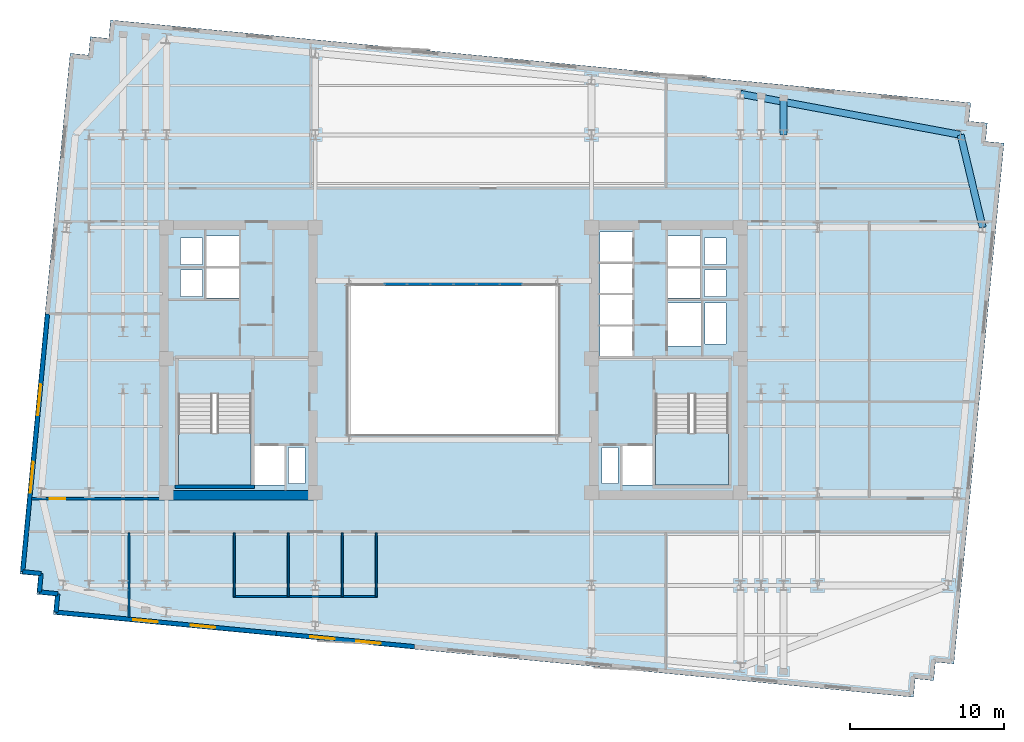
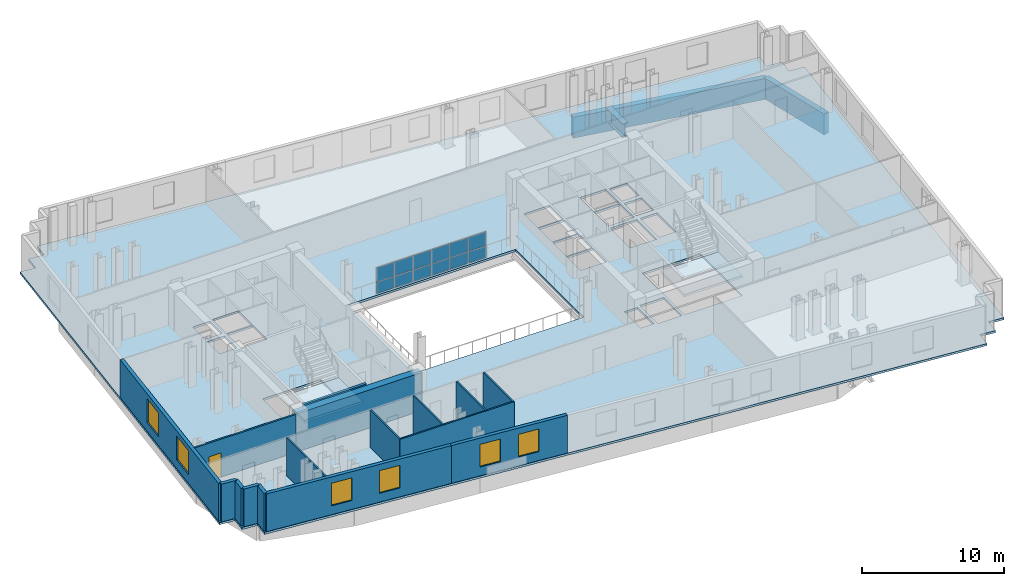
# One storey, part 4 of 11: 16 walls, 12 plates, 6 windows, 3 beams, 3 slabs, 1 door, 7 openings, 3 elements without a shape of their own.
"""IFC4 building model written with IfcOpenShell, lengths in metres."""

from ifc_helpers import new_model, si_unit, direction, frame, frame_2d, origin, origin_2d, place, context, subcontext, project, spatial, polyline, rectangle, i_section, outline, extrude, material, layer, layer_set, material_profile, profile_set, type_object, element, fill, aggregate, save


model = new_model("IFC4")

# Units and contexts
model_context = context("Model", 3, precision=1e-05, world=origin(), true_north=direction((0.0, 1.0)))
body_context = subcontext(model_context, "Body", "Model", "MODEL_VIEW")
ifc_project = project(units=[si_unit("LENGTHUNIT", "METRE"), si_unit("AREAUNIT", "SQUARE_METRE"), si_unit("VOLUMEUNIT", "CUBIC_METRE"), si_unit("PLANEANGLEUNIT", "RADIAN"), si_unit("MASSUNIT", "GRAM", prefix="KILO")], contexts=[model_context])

# Site, building, storey
site_placement = place(None, origin())
site = spatial("IfcSite", under=ifc_project, at=site_placement, CompositionType="ELEMENT")
building_placement = place(site_placement, origin())
building = spatial("IfcBuilding", under=site, at=building_placement, Name="Velakula Bourse", CompositionType="ELEMENT")
storey_placement = place(building_placement, frame((0.0, 0.0, 160.39990234375)))
storey = spatial("IfcBuildingStorey", under=building, at=storey_placement, Name="L43", CompositionType="ELEMENT", Elevation=160.39990234375)

# Beams
ifc_material_1 = material(Name="Concrete M50 (fck 50 MPa)", Category="concrete")
ifc_material_profile_1 = material_profile(ifc_material_1, rectangle(XDim=0.449951171875, YDim=1.800048828125, at=origin_2d()), Name="Concrete M50 (fck 50 MPa)")
ifc_profile_set_1 = profile_set([ifc_material_profile_1], Name="Concrete M50 (fck 50 MPa)")
beam_type_1 = type_object("IfcBeamType", Name="SPN-TRF-1800", PredefinedType="SPANDREL", material=ifc_profile_set_1)
beam_1_placement = place(storey_placement, frame((34.30517578125, 8.60009765625, -1.079833984375), z_axis=(-0.232091371601, 0.972693988482, 0.0), x_axis=(-0.972693988482, -0.232091371601, 0.0)))
element("IfcBeam", 1, at=beam_1_placement, inside=storey, type_object=beam_type_1, Name="L43 Brick-Faced Precast Spandrel E3-E4", PredefinedType="SPANDREL", context=body_context, shape_type="SweptSolid", body=[
    extrude(rectangle(XDim=0.449951171875, YDim=1.800048828125, at=origin_2d()), origin(), (0.0, 0.0, 1.0), 6.16845703125),
])
beam_2_placement = place(storey_placement, frame((32.87353515625, 14.60009765625, -1.079833984375), z_axis=(-0.983069592122, 0.183232576378, 0.0), x_axis=(-0.183232576378, -0.983069592122, 0.0)))
element("IfcBeam", 2, at=beam_2_placement, inside=storey, type_object=beam_type_1, Name="L43 Brick-Faced Precast Spandrel E4-N4", PredefinedType="SPANDREL", context=body_context, shape_type="SweptSolid", body=[
    extrude(rectangle(XDim=0.449951171875, YDim=1.800048828125, at=origin_2d()), origin(), (0.0, 0.0, 1.0), 14.519287109375),
])
ifc_material_2 = material(Name="Steel IS 2062 Grade 450 (E450)", Category="steel")
ifc_material_profile_2 = material_profile(ifc_material_2, i_section(OverallWidth=0.449951171875, OverallDepth=1.199951171875, WebThickness=0.02587890625, FlangeThickness=0.0400390625, at=origin_2d()), Name="Steel IS 2062 Grade 450 (E450)")
ifc_profile_set_2 = profile_set([ifc_material_profile_2], Name="Steel IS 2062 Grade 450 (E450)")
beam_type_2 = type_object("IfcBeamType", Name="TB-CANT-1200", PredefinedType="BEAM", material=ifc_profile_set_2)
beam_3_placement = place(storey_placement, frame((21.39990234375, 14.60009765625, -0.77978515625), z_axis=(0.0, 1.0, 0.0), x_axis=(-1.0, 0.0, 0.0)))
element("IfcBeam", 3, at=beam_3_placement, inside=storey, type_object=beam_type_2, Name="L43 Perimeter Tie Girder P08", PredefinedType="BEAM", context=body_context, shape_type="SweptSolid", body=[
    extrude(i_section(OverallWidth=0.449951171875, OverallDepth=1.199951171875, WebThickness=0.02587890625, FlangeThickness=0.0400390625, at=origin_2d()), origin(), (0.0, 0.0, 1.0), 2.390869140625),
])

# Curtain wall, plates
ifc_material_3 = material(Name="Anodised bronze architectural aluminium", Category="aluminium")
ifc_layer_1 = layer(ifc_material_3, 0.14990234375, Name="Anodised bronze architectural aluminium", Category="aluminium")
ifc_layer_set_1 = layer_set([ifc_layer_1], Name="Anodised bronze architectural aluminium")
curtain_wall_type = type_object("IfcCurtainWallType", Name="CW-AT1", PredefinedType="NOTDEFINED", material=ifc_layer_set_1)
curtain_wall_placement = place(storey_placement, origin())
curtain_wall = element("IfcCurtainWall", 4, at=curtain_wall_placement, inside=storey, type_object=curtain_wall_type, Name="L43 Central Trading Atrium Fire-Rated Glazed Screen", PredefinedType="NOTDEFINED")
ifc_material_4 = material(Name="Fire-resistant EI 120 laminated glazing", Category="glass")
ifc_layer_2 = layer(ifc_material_4, 0.02392578125, Name="Fire-resistant EI 120 laminated glazing", Category="glass")
ifc_layer_set_2 = layer_set([ifc_layer_2], Name="Fire-resistant EI 120 laminated glazing")
plate_type = type_object("IfcPlateType", Name="PNL-CW-AT1", PredefinedType="CURTAIN_PANEL", material=ifc_layer_set_2)
plate_1_placement = place(storey_placement, frame((-3.735107421875, 4.919921875, 0.06005859375), z_axis=(0.0, 0.0, 1.0), x_axis=(1.0, 0.0, 0.0)))
plate_1 = element("IfcPlate", 5, at=plate_1_placement, type_object=plate_type, Name="CW-AT1 panel 1.1", PredefinedType="CURTAIN_PANEL", context=body_context, shape_type="SweptSolid", body=[
    extrude(rectangle(XDim=1.409912109375, YDim=0.028076171875, at=origin_2d()), origin(), (0.0, 0.0, 1.0), 0.96533203125),
])
plate_2_placement = place(storey_placement, frame((-3.735107421875, 4.919921875, 1.08544921875), z_axis=(0.0, 0.0, 1.0), x_axis=(1.0, 0.0, 0.0)))
plate_2 = element("IfcPlate", 6, at=plate_2_placement, type_object=plate_type, Name="CW-AT1 panel 1.2", PredefinedType="CURTAIN_PANEL", context=body_context, shape_type="SweptSolid", body=[
    extrude(rectangle(XDim=1.409912109375, YDim=0.028076171875, at=origin_2d()), origin(), (0.0, 0.0, 1.0), 1.19970703125),
])
plate_3_placement = place(storey_placement, frame((-2.25, 4.919921875, 0.06005859375), z_axis=(0.0, 0.0, 1.0), x_axis=(1.0, 0.0, 0.0)))
plate_3 = element("IfcPlate", 7, at=plate_3_placement, type_object=plate_type, Name="CW-AT1 panel 2.1", PredefinedType="CURTAIN_PANEL", context=body_context, shape_type="SweptSolid", body=[
    extrude(rectangle(XDim=1.43994140625, YDim=0.028076171875, at=origin_2d()), origin(), (0.0, 0.0, 1.0), 0.96533203125),
])
plate_4_placement = place(storey_placement, frame((-2.25, 4.919921875, 1.08544921875), z_axis=(0.0, 0.0, 1.0), x_axis=(1.0, 0.0, 0.0)))
plate_4 = element("IfcPlate", 8, at=plate_4_placement, type_object=plate_type, Name="CW-AT1 panel 2.2", PredefinedType="CURTAIN_PANEL", context=body_context, shape_type="SweptSolid", body=[
    extrude(rectangle(XDim=1.43994140625, YDim=0.028076171875, at=origin_2d()), origin(), (0.0, 0.0, 1.0), 1.19970703125),
])
plate_5_placement = place(storey_placement, frame((-0.75, 4.919921875, 0.06005859375), z_axis=(0.0, 0.0, 1.0), x_axis=(1.0, 0.0, 0.0)))
plate_5 = element("IfcPlate", 9, at=plate_5_placement, type_object=plate_type, Name="CW-AT1 panel 3.1", PredefinedType="CURTAIN_PANEL", context=body_context, shape_type="SweptSolid", body=[
    extrude(rectangle(XDim=1.43994140625, YDim=0.028076171875, at=origin_2d()), origin(), (0.0, 0.0, 1.0), 0.96533203125),
])
plate_6_placement = place(storey_placement, frame((-0.75, 4.919921875, 1.08544921875), z_axis=(0.0, 0.0, 1.0), x_axis=(1.0, 0.0, 0.0)))
plate_6 = element("IfcPlate", 10, at=plate_6_placement, type_object=plate_type, Name="CW-AT1 panel 3.2", PredefinedType="CURTAIN_PANEL", context=body_context, shape_type="SweptSolid", body=[
    extrude(rectangle(XDim=1.43994140625, YDim=0.028076171875, at=origin_2d()), origin(), (0.0, 0.0, 1.0), 1.19970703125),
])
plate_7_placement = place(storey_placement, frame((0.75, 4.919921875, 0.06005859375), z_axis=(0.0, 0.0, 1.0), x_axis=(1.0, 0.0, 0.0)))
plate_7 = element("IfcPlate", 11, at=plate_7_placement, type_object=plate_type, Name="CW-AT1 panel 4.1", PredefinedType="CURTAIN_PANEL", context=body_context, shape_type="SweptSolid", body=[
    extrude(rectangle(XDim=1.43994140625, YDim=0.028076171875, at=origin_2d()), origin(), (0.0, 0.0, 1.0), 0.96533203125),
])
plate_8_placement = place(storey_placement, frame((0.75, 4.919921875, 1.08544921875), z_axis=(0.0, 0.0, 1.0), x_axis=(1.0, 0.0, 0.0)))
plate_8 = element("IfcPlate", 12, at=plate_8_placement, type_object=plate_type, Name="CW-AT1 panel 4.2", PredefinedType="CURTAIN_PANEL", context=body_context, shape_type="SweptSolid", body=[
    extrude(rectangle(XDim=1.43994140625, YDim=0.028076171875, at=origin_2d()), origin(), (0.0, 0.0, 1.0), 1.19970703125),
])
plate_9_placement = place(storey_placement, frame((2.25, 4.919921875, 0.06005859375), z_axis=(0.0, 0.0, 1.0), x_axis=(1.0, 0.0, 0.0)))
plate_9 = element("IfcPlate", 13, at=plate_9_placement, type_object=plate_type, Name="CW-AT1 panel 5.1", PredefinedType="CURTAIN_PANEL", context=body_context, shape_type="SweptSolid", body=[
    extrude(rectangle(XDim=1.43994140625, YDim=0.028076171875, at=origin_2d()), origin(), (0.0, 0.0, 1.0), 0.96533203125),
])
plate_10_placement = place(storey_placement, frame((2.25, 4.919921875, 1.08544921875), z_axis=(0.0, 0.0, 1.0), x_axis=(1.0, 0.0, 0.0)))
plate_10 = element("IfcPlate", 14, at=plate_10_placement, type_object=plate_type, Name="CW-AT1 panel 5.2", PredefinedType="CURTAIN_PANEL", context=body_context, shape_type="SweptSolid", body=[
    extrude(rectangle(XDim=1.43994140625, YDim=0.028076171875, at=origin_2d()), origin(), (0.0, 0.0, 1.0), 1.19970703125),
])
plate_11_placement = place(storey_placement, frame((3.735107421875, 4.919921875, 0.06005859375), z_axis=(0.0, 0.0, 1.0), x_axis=(1.0, 0.0, 0.0)))
plate_11 = element("IfcPlate", 15, at=plate_11_placement, type_object=plate_type, Name="CW-AT1 panel 6.1", PredefinedType="CURTAIN_PANEL", context=body_context, shape_type="SweptSolid", body=[
    extrude(rectangle(XDim=1.409912109375, YDim=0.028076171875, at=origin_2d()), origin(), (0.0, 0.0, 1.0), 0.96533203125),
])
plate_12_placement = place(storey_placement, frame((3.735107421875, 4.919921875, 1.08544921875), z_axis=(0.0, 0.0, 1.0), x_axis=(1.0, 0.0, 0.0)))
plate_12 = element("IfcPlate", 16, at=plate_12_placement, type_object=plate_type, Name="CW-AT1 panel 6.2", PredefinedType="CURTAIN_PANEL", context=body_context, shape_type="SweptSolid", body=[
    extrude(rectangle(XDim=1.409912109375, YDim=0.028076171875, at=origin_2d()), origin(), (0.0, 0.0, 1.0), 1.19970703125),
])
aggregate(curtain_wall, [plate_1, plate_2, plate_3, plate_4, plate_5, plate_6, plate_7, plate_8, plate_9, plate_10, plate_11, plate_12])

# Stair, slab
ifc_material_5 = material(Name="Concrete M45 (fck 45 MPa)", Category="concrete")
stair_type = type_object("IfcStairType", Name="STR-DOG-390", PredefinedType="HALF_TURN_STAIR", material=ifc_material_5)
stair_1_placement = place(storey_placement, origin())
stair_1 = element("IfcStair", 17, at=stair_1_placement, inside=storey, type_object=stair_type, Name="L43 West Core Exit Stair ST-W1", PredefinedType="HALF_TURN_STAIR")
ifc_layer_3 = layer(ifc_material_5, 0.199951171875, Name="Concrete M45 (fck 45 MPa)", Category="concrete")
ifc_layer_set_3 = layer_set([ifc_layer_3], Name="Concrete M45 (fck 45 MPa)")
slab_type_1 = type_object("IfcSlabType", Name="SLB-STAIR-LND-200", PredefinedType="LANDING", material=ifc_layer_set_3)
slab_1_placement = place(storey_placement, frame((0.0, 0.0, 1.525146484375)))
slab_1 = element("IfcSlab", 18, at=slab_1_placement, type_object=slab_type_1, Name="ST-W1 landing 1", PredefinedType="LANDING", context=body_context, shape_type="SweptSolid", body=[
    extrude(outline(polyline([(-17.820068359375, -4.719970703125), (-17.820068359375, -8.10009765625), (-13.10009765625, -8.10009765625), (-13.10009765625, -4.719970703125), (-17.820068359375, -4.719970703125)])), origin(), (0.0, 0.0, 1.0), 0.199951171875),
])
aggregate(stair_1, [slab_1])

stair_2_placement = place(storey_placement, origin())
stair_2 = element("IfcStair", 19, at=stair_2_placement, inside=storey, type_object=stair_type, Name="L43 East Core Exit Stair ST-E1", PredefinedType="HALF_TURN_STAIR")
slab_2_placement = place(storey_placement, frame((0.0, 0.0, 1.525146484375)))
slab_2 = element("IfcSlab", 20, at=slab_2_placement, type_object=slab_type_1, Name="ST-E1 landing 1", PredefinedType="LANDING", context=body_context, shape_type="SweptSolid", body=[
    extrude(outline(polyline([(13.10009765625, -4.719970703125), (13.10009765625, -8.10009765625), (17.820068359375, -8.10009765625), (17.820068359375, -4.719970703125), (13.10009765625, -4.719970703125)])), origin(), (0.0, 0.0, 1.0), 0.199951171875),
])
aggregate(stair_2, [slab_2])

# Slab
ifc_layer_4 = layer(ifc_material_1, 0.179931640625, Name="Concrete M50 (fck 50 MPa)", Category="concrete")
ifc_layer_set_4 = layer_set([ifc_layer_4], Name="Concrete M50 (fck 50 MPa)")
slab_type_2 = type_object("IfcSlabType", Name="SLB-TWR-180", PredefinedType="FLOOR", material=ifc_layer_set_4)
slab_3_placement = place(storey_placement, frame((0.0, 0.0, -0.179931640625)))
element("IfcSlab", 21, at=slab_3_placement, inside=storey, type_object=slab_type_2, Name="L43 Suspended Structural Floor Slab", PredefinedType="FLOOR", context=body_context, shape_type="SweptSolid", body=[
    extrude(outline(polyline([(-25.92578125, -16.477294921875), (29.81640625, -21.844482421875), (29.931396484375, -20.650146484375), (31.1259765625, -20.76513671875), (31.240966796875, -19.570556640625), (32.435546875, -19.685791015625), (35.6845703125, 14.058349609375), (34.490234375, 14.17333984375), (34.605224609375, 15.36767578125), (33.41064453125, 15.482666015625), (33.525634765625, 16.67724609375), (-22.216552734375, 22.044677734375), (-22.33154296875, 20.85009765625), (-23.52587890625, 20.965087890625), (-23.640869140625, 19.770751953125), (-24.83544921875, 19.8857421875), (-28.084716796875, -13.858154296875), (-26.89013671875, -13.973388671875), (-27.005126953125, -15.167724609375), (-25.810791015625, -15.28271484375), (-25.92578125, -16.477294921875)]), holes=[polyline([(-17.820068359375, -8.10009765625), (-13.10009765625, -8.10009765625), (-13.10009765625, -2.199951171875), (-17.820068359375, -2.199951171875), (-17.820068359375, -8.10009765625)]), polyline([(13.10009765625, -8.10009765625), (17.820068359375, -8.10009765625), (17.820068359375, -2.199951171875), (13.10009765625, -2.199951171875), (13.10009765625, -8.10009765625)]), polyline([(-12.89990234375, -8.10009765625), (-10.949951171875, -8.10009765625), (-10.949951171875, -5.550048828125), (-12.89990234375, -5.550048828125), (-12.89990234375, -8.10009765625)]), polyline([(10.949951171875, -8.10009765625), (12.89990234375, -8.10009765625), (12.89990234375, -5.550048828125), (10.949951171875, -5.550048828125), (10.949951171875, -8.10009765625)]), polyline([(13.89990234375, 0.919921875), (16.050048828125, 0.919921875), (16.050048828125, 3.719970703125), (13.89990234375, 3.719970703125), (13.89990234375, 0.919921875)]), polyline([(-10.679931640625, -7.97998046875), (-9.6201171875, -7.97998046875), (-9.6201171875, -5.669921875), (-10.679931640625, -5.669921875), (-10.679931640625, -7.97998046875)]), polyline([(-17.679931640625, 4.139892578125), (-16.27001953125, 4.139892578125), (-16.27001953125, 5.85009765625), (-17.679931640625, 5.85009765625), (-17.679931640625, 4.139892578125)]), polyline([(-17.679931640625, 6.2099609375), (-16.27001953125, 6.2099609375), (-16.27001953125, 7.919921875), (-17.679931640625, 7.919921875), (-17.679931640625, 6.2099609375)]), polyline([(9.6201171875, -7.97998046875), (10.679931640625, -7.97998046875), (10.679931640625, -5.669921875), (9.6201171875, -5.669921875), (9.6201171875, -7.97998046875)]), polyline([(16.27001953125, 4.139892578125), (17.679931640625, 4.139892578125), (17.679931640625, 5.85009765625), (16.27001953125, 5.85009765625), (16.27001953125, 4.139892578125)]), polyline([(16.27001953125, 6.2099609375), (17.679931640625, 6.2099609375), (17.679931640625, 7.919921875), (16.27001953125, 7.919921875), (16.27001953125, 6.2099609375)]), polyline([(16.320068359375, 1.0400390625), (17.679931640625, 1.0400390625), (17.679931640625, 3.699951171875), (16.320068359375, 3.699951171875), (16.320068359375, 1.0400390625)]), polyline([(9.5, 0.280029296875), (11.60009765625, 0.280029296875), (11.60009765625, 2.199951171875), (9.5, 2.199951171875), (9.5, 0.280029296875)]), polyline([(9.5, 2.31005859375), (11.60009765625, 2.31005859375), (11.60009765625, 4.22998046875), (9.5, 4.22998046875), (9.5, 2.31005859375)]), polyline([(9.5, 4.340087890625), (11.60009765625, 4.340087890625), (11.60009765625, 6.260009765625), (9.5, 6.260009765625), (9.5, 4.340087890625)]), polyline([(9.5, 6.3701171875), (11.60009765625, 6.3701171875), (11.60009765625, 8.2900390625), (9.5, 8.2900390625), (9.5, 6.3701171875)]), polyline([(-16.0, 4.02001953125), (-13.89990234375, 4.02001953125), (-13.89990234375, 5.969970703125), (-16.0, 5.969970703125), (-16.0, 4.02001953125)]), polyline([(-16.0, 6.090087890625), (-13.89990234375, 6.090087890625), (-13.89990234375, 8.0400390625), (-16.0, 8.0400390625), (-16.0, 6.090087890625)]), polyline([(13.89990234375, 4.02001953125), (16.0, 4.02001953125), (16.0, 5.969970703125), (13.89990234375, 5.969970703125), (13.89990234375, 4.02001953125)]), polyline([(13.89990234375, 6.090087890625), (16.0, 6.090087890625), (16.0, 8.0400390625), (13.89990234375, 8.0400390625), (13.89990234375, 6.090087890625)]), polyline([(-6.800048828125, -4.800048828125), (6.800048828125, -4.800048828125), (6.800048828125, 4.800048828125), (-6.800048828125, 4.800048828125), (-6.800048828125, -4.800048828125)])]), origin(), (0.0, 0.0, 1.0), 0.179931640625),
])

# Walls
ifc_layer_5 = layer(ifc_material_1, 0.2099609375, Name="Concrete M50 (fck 50 MPa)", Category="concrete")
ifc_layer_set_5 = layer_set([ifc_layer_5], Name="Concrete M50 (fck 50 MPa)")
wall_type_1 = type_object("IfcWallType", Name="WL-CORE-210", PredefinedType="SHEAR", material=ifc_layer_set_5)
wall_1_placement = place(storey_placement, frame((-18.030029296875, -8.205078125, 0.0), z_axis=(0.0, 0.0, 1.0), x_axis=(1.0, 0.0, 0.0)))
element("IfcWall", 22, at=wall_1_placement, inside=storey, type_object=wall_type_1, Name="L43 Core W Stairwell Shear Wall S", PredefinedType="SHEAR", context=body_context, shape_type="SweptSolid", body=[
    extrude(rectangle(XDim=5.14013671875, YDim=0.2099609375, at=frame_2d((2.570068359375, 0.0))), origin(), (0.0, 0.0, 1.0), 3.27001953125),
])
ifc_material_6 = material(Name="Concrete M70 (fck 70 MPa)", Category="concrete")
ifc_layer_6 = layer(ifc_material_6, 0.60009765625, Name="Concrete M70 (fck 70 MPa)", Category="concrete")
ifc_layer_set_6 = layer_set([ifc_layer_6], Name="Concrete M70 (fck 70 MPa)")
wall_type_2 = type_object("IfcWallType", Name="WL-CORE-600", PredefinedType="SHEAR", material=ifc_layer_set_6)
wall_2_placement = place(storey_placement, frame((-19.050048828125, -8.75, 0.0), z_axis=(0.0, 0.0, 1.0), x_axis=(1.0, 0.0, 0.0)))
element("IfcWall", 23, at=wall_2_placement, inside=storey, type_object=wall_type_2, Name="L43 Core W Shear Wall S", PredefinedType="SHEAR", context=body_context, shape_type="SweptSolid", body=[
    extrude(rectangle(XDim=10.25, YDim=0.60009765625, at=frame_2d((5.125, 0.0))), origin(), (0.0, 0.0, 1.0), 3.27001953125),
])

# Wall, openings, windows
ifc_material_7 = material(Name="Red kilned clay facing brick masonry", Category="masonry")
ifc_layer_7 = layer(ifc_material_7, 0.280029296875, Name="Red kilned clay facing brick masonry", Category="masonry")
ifc_layer_set_7 = layer_set([ifc_layer_7], Name="Red kilned clay facing brick masonry")
wall_type_3 = type_object("IfcWallType", Name="WL-EXT-BRK-280", PredefinedType="STANDARD", material=ifc_layer_set_7)
wall_3_placement = place(storey_placement, frame((-11.47705078125, -17.707763671875, 0.0), z_axis=(0.0, 0.0, 1.0), x_axis=(-0.995395762701, 0.095850276977, 0.0)))
wall_3 = element("IfcWall", 24, at=wall_3_placement, inside=storey, type_object=wall_type_3, Name="L43 S Brick Spandrel Wall B1", PredefinedType="STANDARD", context=body_context, shape_type="SweptSolid", body=[
    extrude(rectangle(XDim=14.340087890625, YDim=0.280029296875, at=frame_2d((7.169921875, 0.0))), origin(), (0.0, 0.0, 1.0), 3.25),
])
opening_1_placement = place(wall_3_placement, frame((3.97998046875, 0.0, 0.760009765625)))
opening_1 = element("IfcOpeningElement", 25, at=opening_1_placement, cuts=wall_3, Name="Opening W-02", PredefinedType="OPENING", context=body_context, shape_type="SweptSolid", body=[
    extrude(rectangle(XDim=1.60009765625, YDim=1.949951171875, at=frame_2d((0.800048828125, 0.97509765625))), frame((0.0, 0.14990234375, 0.0), z_axis=(0.0, -1.0, 0.0), x_axis=(1.0, 0.0, 0.0)), (0.0, 0.0, 1.0), 0.300048828125),
])
opening_2_placement = place(wall_3_placement, frame((7.7099609375, 0.0, 0.760009765625)))
opening_2 = element("IfcOpeningElement", 26, at=opening_2_placement, cuts=wall_3, Name="Opening W-02", PredefinedType="OPENING", context=body_context, shape_type="SweptSolid", body=[
    extrude(rectangle(XDim=1.60009765625, YDim=1.949951171875, at=frame_2d((0.800048828125, 0.97509765625))), frame((0.0, 0.14990234375, 0.0), z_axis=(0.0, -1.0, 0.0), x_axis=(1.0, 0.0, 0.0)), (0.0, 0.0, 1.0), 0.300048828125),
])
ifc_material_8 = material(Name="Double-glazed solar-control Low-E glass", Category="glass")
window_type_1 = type_object("IfcWindowType", Name="WIN-TWR-1600x2100", PartitioningType="SINGLE_PANEL", PredefinedType="WINDOW", material=ifc_material_8)
window_1_placement = place(opening_1_placement, origin())
window_1 = element("IfcWindow", 27, at=window_1_placement, inside=storey, type_object=window_type_1, Name="L43 Deep-Set Recessed Window 1", OverallHeight=1.949951171875, OverallWidth=1.60009765625, PartitioningType="SINGLE_PANEL", PredefinedType="WINDOW", context=body_context, shape_type="SweptSolid", body=[
    extrude(rectangle(XDim=1.60009765625, YDim=1.949951171875, at=frame_2d((0.800048828125, 0.97509765625))), frame((0.0, 0.030029296875, 0.0), z_axis=(0.0, -1.0, 0.0), x_axis=(1.0, 0.0, 0.0)), (0.0, 0.0, 1.0), 0.06005859375),
])
fill(opening_1, window_1)
window_2_placement = place(opening_2_placement, origin())
window_2 = element("IfcWindow", 28, at=window_2_placement, inside=storey, type_object=window_type_1, Name="L43 Deep-Set Recessed Window 2", OverallHeight=1.949951171875, OverallWidth=1.60009765625, PartitioningType="SINGLE_PANEL", PredefinedType="WINDOW", context=body_context, shape_type="SweptSolid", body=[
    extrude(rectangle(XDim=1.60009765625, YDim=1.949951171875, at=frame_2d((0.800048828125, 0.97509765625))), frame((0.0, 0.030029296875, 0.0), z_axis=(0.0, -1.0, 0.0), x_axis=(1.0, 0.0, 0.0)), (0.0, 0.0, 1.0), 0.06005859375),
])
fill(opening_2, window_2)

wall_4_placement = place(storey_placement, frame((-2.5185546875, -18.5703125, 0.0), z_axis=(0.0, 0.0, 1.0), x_axis=(-0.995396794462, 0.09583956164, 0.0)))
wall_4 = element("IfcWall", 29, at=wall_4_placement, inside=storey, type_object=wall_type_3, Name="L43 S Brick Spandrel Wall B2", PredefinedType="STANDARD", context=body_context, shape_type="SweptSolid", body=[
    extrude(rectangle(XDim=9.0, YDim=0.280029296875, at=frame_2d((4.5, 0.0))), origin(), (0.0, 0.0, 1.0), 3.25),
])
opening_3_placement = place(wall_4_placement, frame((2.199951171875, 0.0, 0.760009765625)))
opening_3 = element("IfcOpeningElement", 30, at=opening_3_placement, cuts=wall_4, Name="Opening W-02", PredefinedType="OPENING", context=body_context, shape_type="SweptSolid", body=[
    extrude(rectangle(XDim=1.60009765625, YDim=1.949951171875, at=frame_2d((0.800048828125, 0.97509765625))), frame((0.0, 0.14990234375, 0.0), z_axis=(0.0, -1.0, 0.0), x_axis=(1.0, 0.0, 0.0)), (0.0, 0.0, 1.0), 0.300048828125),
])
opening_4_placement = place(wall_4_placement, frame((5.199951171875, 0.0, 0.760009765625)))
opening_4 = element("IfcOpeningElement", 31, at=opening_4_placement, cuts=wall_4, Name="Opening W-02", PredefinedType="OPENING", context=body_context, shape_type="SweptSolid", body=[
    extrude(rectangle(XDim=1.60009765625, YDim=1.949951171875, at=frame_2d((0.800048828125, 0.97509765625))), frame((0.0, 0.14990234375, 0.0), z_axis=(0.0, -1.0, 0.0), x_axis=(1.0, 0.0, 0.0)), (0.0, 0.0, 1.0), 0.300048828125),
])
window_3_placement = place(opening_3_placement, origin())
window_3 = element("IfcWindow", 32, at=window_3_placement, inside=storey, type_object=window_type_1, Name="L43 Deep-Set Recessed Window 1", OverallHeight=1.949951171875, OverallWidth=1.60009765625, PartitioningType="SINGLE_PANEL", PredefinedType="WINDOW", context=body_context, shape_type="SweptSolid", body=[
    extrude(rectangle(XDim=1.60009765625, YDim=1.949951171875, at=frame_2d((0.800048828125, 0.97509765625))), frame((0.0, 0.030029296875, 0.0), z_axis=(0.0, -1.0, 0.0), x_axis=(1.0, 0.0, 0.0)), (0.0, 0.0, 1.0), 0.06005859375),
])
fill(opening_3, window_3)
window_4_placement = place(opening_4_placement, origin())
window_4 = element("IfcWindow", 33, at=window_4_placement, inside=storey, type_object=window_type_1, Name="L43 Deep-Set Recessed Window 2", OverallHeight=1.949951171875, OverallWidth=1.60009765625, PartitioningType="SINGLE_PANEL", PredefinedType="WINDOW", context=body_context, shape_type="SweptSolid", body=[
    extrude(rectangle(XDim=1.60009765625, YDim=1.949951171875, at=frame_2d((0.800048828125, 0.97509765625))), frame((0.0, 0.030029296875, 0.0), z_axis=(0.0, -1.0, 0.0), x_axis=(1.0, 0.0, 0.0)), (0.0, 0.0, 1.0), 0.06005859375),
])
fill(opening_4, window_4)

wall_5_placement = place(storey_placement, frame((-27.909912109375, -13.71435546875, 0.0), z_axis=(0.0, 0.0, 1.0), x_axis=(0.095839027265, 0.995396845913, 0.0)))
wall_5 = element("IfcWall", 34, at=wall_5_placement, inside=storey, type_object=wall_type_3, Name="L43 W Brick End Wall W1", PredefinedType="STANDARD", context=body_context, shape_type="SweptSolid", body=[
    extrude(rectangle(XDim=16.7900390625, YDim=0.280029296875, at=frame_2d((8.39501953125, 0.0))), origin(), (0.0, 0.0, 1.0), 3.25),
])
opening_5_placement = place(wall_5_placement, frame((5.146728515625, 0.0, 0.760009765625)))
opening_5 = element("IfcOpeningElement", 35, at=opening_5_placement, cuts=wall_5, Name="Opening W-05", PredefinedType="OPENING", context=body_context, shape_type="SweptSolid", body=[
    extrude(rectangle(XDim=2.0, YDim=2.050048828125, at=frame_2d((1.0, 1.02490234375))), frame((0.0, 0.14990234375, 0.0), z_axis=(0.0, -1.0, 0.0), x_axis=(1.0, 0.0, 0.0)), (0.0, 0.0, 1.0), 0.300048828125),
])
opening_6_placement = place(wall_5_placement, frame((10.193359375, 0.0, 0.760009765625)))
opening_6 = element("IfcOpeningElement", 36, at=opening_6_placement, cuts=wall_5, Name="Opening W-05", PredefinedType="OPENING", context=body_context, shape_type="SweptSolid", body=[
    extrude(rectangle(XDim=2.0, YDim=2.050048828125, at=frame_2d((1.0, 1.02490234375))), frame((0.0, 0.14990234375, 0.0), z_axis=(0.0, -1.0, 0.0), x_axis=(1.0, 0.0, 0.0)), (0.0, 0.0, 1.0), 0.300048828125),
])
window_type_2 = type_object("IfcWindowType", Name="WIN-TWR-2000x2200", PartitioningType="DOUBLE_PANEL_VERTICAL", PredefinedType="WINDOW", material=ifc_material_8)
window_5_placement = place(opening_5_placement, origin())
window_5 = element("IfcWindow", 37, at=window_5_placement, inside=storey, type_object=window_type_2, Name="L43 Deep-Set Recessed Window 1", OverallHeight=2.050048828125, OverallWidth=2.0, PartitioningType="DOUBLE_PANEL_VERTICAL", PredefinedType="WINDOW", context=body_context, shape_type="SweptSolid", body=[
    extrude(rectangle(XDim=2.0, YDim=2.050048828125, at=frame_2d((1.0, 1.02490234375))), frame((0.0, 0.030029296875, 0.0), z_axis=(0.0, -1.0, 0.0), x_axis=(1.0, 0.0, 0.0)), (0.0, 0.0, 1.0), 0.06005859375),
])
fill(opening_5, window_5)
window_6_placement = place(opening_6_placement, origin())
window_6 = element("IfcWindow", 38, at=window_6_placement, inside=storey, type_object=window_type_2, Name="L43 Deep-Set Recessed Window 2", OverallHeight=2.050048828125, OverallWidth=2.0, PartitioningType="DOUBLE_PANEL_VERTICAL", PredefinedType="WINDOW", context=body_context, shape_type="SweptSolid", body=[
    extrude(rectangle(XDim=2.0, YDim=2.050048828125, at=frame_2d((1.0, 1.02490234375))), frame((0.0, 0.030029296875, 0.0), z_axis=(0.0, -1.0, 0.0), x_axis=(1.0, 0.0, 0.0)), (0.0, 0.0, 1.0), 0.06005859375),
])
fill(opening_6, window_6)

# Walls
wall_6_placement = place(storey_placement, frame((-27.909912109375, -13.71435546875, 0.0), z_axis=(0.0, 0.0, 1.0), x_axis=(0.995397091755, -0.095836473879, 0.0)))
element("IfcWall", 39, at=wall_6_placement, inside=storey, type_object=wall_type_3, Name="L43 Serrated Corner Brick Wall SW-1", PredefinedType="STANDARD", context=body_context, shape_type="SweptSolid", body=[
    extrude(rectangle(XDim=1.199951171875, YDim=0.280029296875, at=frame_2d((0.60009765625, 0.0))), origin(), (0.0, 0.0, 1.0), 3.25),
])
for number, where, z_axis, x_axis, name in (
    (40, (-26.715576171875, -13.829345703125, 0.0), (0.0, 0.0, 1.0), (-0.095817067274, -0.995398960025, 0.0), "L43 Serrated Corner Brick Wall SW-2"),
    (41, (-26.83056640625, -15.02392578125, 0.0), (0.0, 0.0, 1.0), (0.995398960025, -0.095817067274, 0.0), "L43 Serrated Corner Brick Wall SW-3"),
):
    element("IfcWall", number, at=place(storey_placement, frame(where, z_axis=z_axis, x_axis=x_axis)), inside=storey, type_object=wall_type_3, Name=name, PredefinedType="STANDARD", context=body_context, shape_type="SweptSolid", body=[
        extrude(rectangle(XDim=1.2001953125, YDim=0.280029296875, at=frame_2d((0.60009765625, 0.0))), origin(), (0.0, 0.0, 1.0), 3.25),
    ])
wall_7_placement = place(storey_placement, frame((-25.635986328125, -15.138916015625, 0.0), z_axis=(0.0, 0.0, 1.0), x_axis=(-0.096038073607, -0.995377661201, 0.0)))
element("IfcWall", 42, at=wall_7_placement, inside=storey, type_object=wall_type_3, Name="L43 Serrated Corner Brick Wall SW-4", PredefinedType="STANDARD", context=body_context, shape_type="SweptSolid", body=[
    extrude(rectangle(XDim=1.199951171875, YDim=0.280029296875, at=frame_2d((0.60009765625, 0.0))), origin(), (0.0, 0.0, 1.0), 3.25),
])
ifc_material_9 = material(Name="Fire-rated double-layer gypsum drywall partition", Category="gypsum")
ifc_layer_8 = layer(ifc_material_9, 0.1201171875, Name="Fire-rated double-layer gypsum drywall partition", Category="gypsum")
ifc_layer_set_8 = layer_set([ifc_layer_8], Name="Fire-rated double-layer gypsum drywall partition")
wall_type_4 = type_object("IfcWallType", Name="WL-PART-120", PredefinedType="STANDARD", material=ifc_layer_set_8)
wall_8_placement = place(storey_placement, frame((-14.260009765625, -15.320068359375, 0.0), z_axis=(0.0, 0.0, 1.0), x_axis=(1.0, 0.0, 0.0)))
element("IfcWall", 43, at=wall_8_placement, inside=storey, type_object=wall_type_4, Name="L43 Interior Partition WL-WC-L43-BACK", PredefinedType="STANDARD", context=body_context, shape_type="SweptSolid", body=[
    extrude(rectangle(XDim=9.320068359375, YDim=0.1201171875, at=frame_2d((4.66015625, 0.0))), origin(), (0.0, 0.0, 1.0), 3.25),
])
for number, where, z_axis, x_axis, name in (
    (44, (-14.199951171875, -15.320068359375, 0.0), (0.0, 0.0, 1.0), (0.0, 1.0, 0.0), "L43 Interior Partition WL-WC-L43-V1"),
    (45, (-10.699951171875, -15.320068359375, 0.0), (0.0, 0.0, 1.0), (0.0, 1.0, 0.0), "L43 Interior Partition WL-WC-L43-V2"),
    (46, (-7.199951171875, -15.320068359375, 0.0), (0.0, 0.0, 1.0), (0.0, 1.0, 0.0), "L43 Interior Partition WL-WC-L43-V3"),
    (47, (-5.0, -15.320068359375, 0.0), (0.0, 0.0, 1.0), (0.0, 1.0, 0.0), "L43 Interior Partition WL-WC-L43-V4"),
):
    element("IfcWall", number, at=place(storey_placement, frame(where, z_axis=z_axis, x_axis=x_axis)), inside=storey, type_object=wall_type_4, Name=name, PredefinedType="STANDARD", context=body_context, shape_type="SweptSolid", body=[
        extrude(rectangle(XDim=4.130126953125, YDim=0.1201171875, at=frame_2d((2.06494140625, 0.0))), origin(), (0.0, 0.0, 1.0), 3.25),
    ])
wall_9_placement = place(storey_placement, frame((-21.02392578125, -16.66796875, 0.0), z_axis=(0.0, 0.0, 1.0), x_axis=(0.0, 1.0, 0.0)))
element("IfcWall", 48, at=wall_9_placement, inside=storey, type_object=wall_type_4, Name="L43 Interior Partition WL-INT-L43-SL-D5", PredefinedType="STANDARD", context=body_context, shape_type="SweptSolid", body=[
    extrude(rectangle(XDim=5.47802734375, YDim=0.1201171875, at=frame_2d((2.739013671875, 0.0))), origin(), (0.0, 0.0, 1.0), 3.25),
])

# Wall, opening, door
ifc_layer_9 = layer(ifc_material_9, 0.139892578125, Name="Fire-rated double-layer gypsum drywall partition", Category="gypsum")
ifc_layer_set_9 = layer_set([ifc_layer_9], Name="Fire-rated double-layer gypsum drywall partition")
wall_type_5 = type_object("IfcWallType", Name="WL-PART-140", PredefinedType="STANDARD", material=ifc_layer_set_9)
wall_10_placement = place(storey_placement, frame((-27.33349609375, -8.97998046875, 0.0), z_axis=(0.0, 0.0, 1.0), x_axis=(1.0, 0.0, 0.0)))
wall_10 = element("IfcWall", 49, at=wall_10_placement, inside=storey, type_object=wall_type_5, Name="L43 Interior Partition WL-INT-L43-W-SC", PredefinedType="STANDARD", context=body_context, shape_type="SweptSolid", body=[
    extrude(rectangle(XDim=8.283447265625, YDim=0.139892578125, at=frame_2d((4.1416015625, 0.0))), origin(), (0.0, 0.0, 1.0), 3.25),
])
opening_7_placement = place(wall_10_placement, frame((1.17724609375, 0.0, 0.0)))
opening_7 = element("IfcOpeningElement", 50, at=opening_7_placement, cuts=wall_10, Name="Opening D-OF1", PredefinedType="OPENING", context=body_context, shape_type="SweptSolid", body=[
    extrude(rectangle(XDim=1.0, YDim=2.080078125, at=frame_2d((0.5, 1.0400390625))), frame((0.0, 0.079833984375, 0.0), z_axis=(0.0, -1.0, 0.0), x_axis=(1.0, 0.0, 0.0)), (0.0, 0.0, 1.0), 0.159912109375),
])
ifc_material_10 = material(Name="Fire-rated hardwood flush architectural door", Category="wood")
door_type = type_object("IfcDoorType", Name="DR-OFF-1000", OperationType="NOTDEFINED", PredefinedType="DOOR", material=ifc_material_10)
door_placement = place(opening_7_placement, origin())
door = element("IfcDoor", 51, at=door_placement, inside=storey, type_object=door_type, Name="L43 Algorithmic Dealing Workspace Door", OperationType="SINGLE_SWING_RIGHT", OverallHeight=2.080078125, OverallWidth=1.0, PredefinedType="DOOR", context=body_context, shape_type="SweptSolid", body=[
    extrude(rectangle(XDim=1.0, YDim=2.080078125, at=frame_2d((0.5, 1.0400390625))), frame((0.0, 0.02490234375, 0.0), z_axis=(0.0, -1.0, 0.0), x_axis=(1.0, 0.0, 0.0)), (0.0, 0.0, 1.0), 0.050048828125),
])
fill(opening_7, door)

save(model, "model.ifc")
